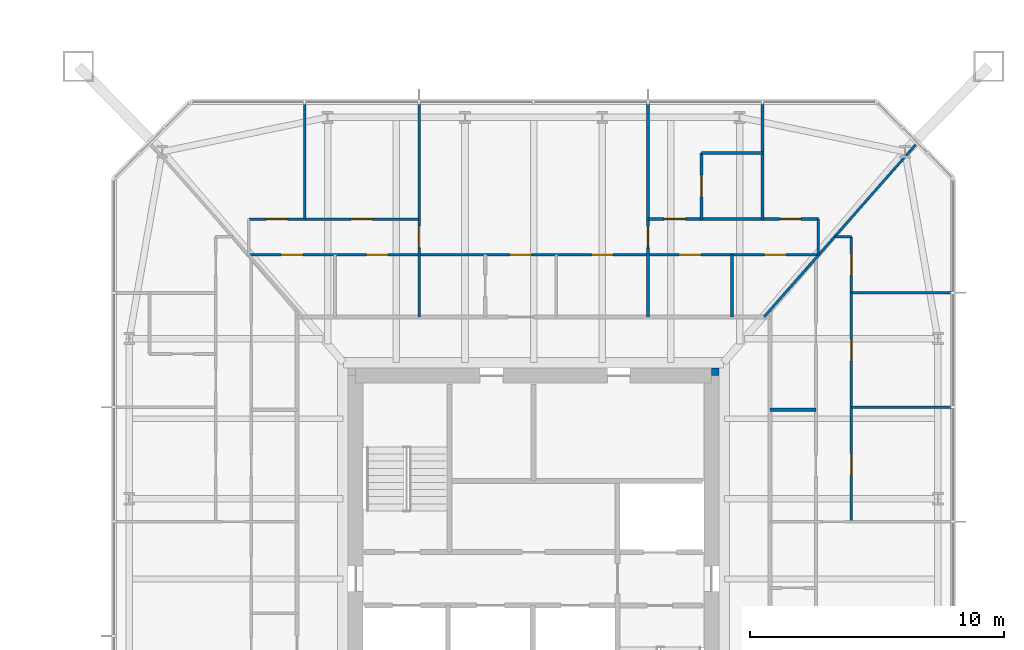
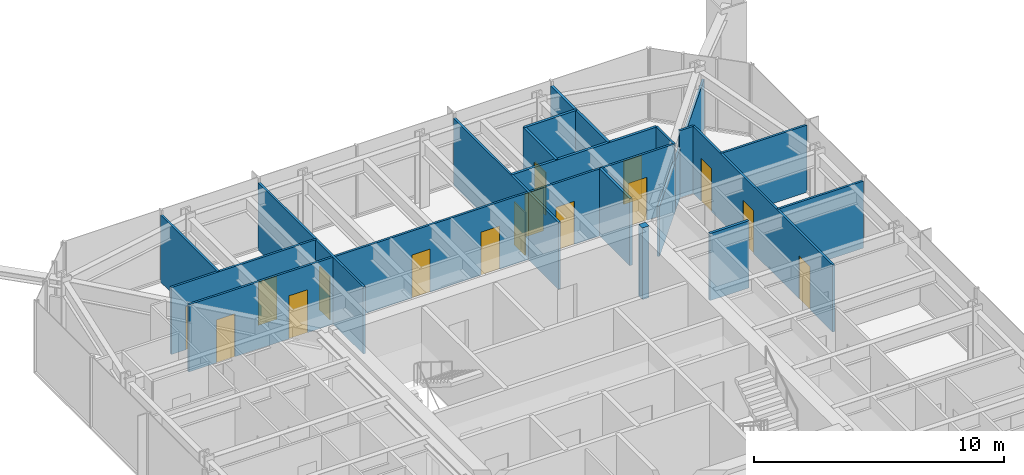
# One storey, part 21 of 26: 19 walls, 16 doors, 16 openings.
"""IFC4 building model written with IfcOpenShell, lengths in metres."""

from ifc_helpers import new_model, si_unit, direction, frame, frame_2d, origin, place, context, subcontext, project, spatial, rectangle, extrude, material, layer, layer_set, type_object, element, fill, save


model = new_model("IFC4")

# Units and contexts
model_context = context("Model", 3, precision=1e-05, world=origin(), true_north=direction((0.0, 1.0)))
body_context = subcontext(model_context, "Body", "Model", "MODEL_VIEW")
ifc_project = project(units=[si_unit("LENGTHUNIT", "METRE"), si_unit("AREAUNIT", "SQUARE_METRE"), si_unit("VOLUMEUNIT", "CUBIC_METRE"), si_unit("PLANEANGLEUNIT", "RADIAN"), si_unit("MASSUNIT", "GRAM", prefix="KILO")], contexts=[model_context])

# Site, building, storey
site_placement = place(None, origin())
site = spatial("IfcSite", under=ifc_project, at=site_placement, CompositionType="ELEMENT")
building_placement = place(site_placement, origin())
building = spatial("IfcBuilding", under=site, at=building_placement, Name="Iwan Alto Co-Living Towers", CompositionType="ELEMENT")
storey_placement = place(building_placement, frame((0.0, 0.0, 18.5)))
storey = spatial("IfcBuildingStorey", under=building, at=storey_placement, Name="L04", CompositionType="ELEMENT", Elevation=18.5)

# Walls
ifc_material_1 = material(Name="Gypsum board")
ifc_layer_1 = layer(ifc_material_1, 0.012451171875, Name="Board", Category="Finish")
ifc_material_2 = material(Name="Steel ASTM A1003 ST33H cold-formed studs", Category="steel")
ifc_layer_2 = layer(ifc_material_2, 0.074951171875, Name="Studs", Category="Framing")
ifc_layer_3 = layer(ifc_material_1, 0.012451171875, Name="Board", Category="Finish")
ifc_layer_set_1 = layer_set([ifc_layer_1, ifc_layer_2, ifc_layer_3], Name="PARTITION 100")
wall_type_1 = type_object("IfcWallType", Name="PARTITION 100", PredefinedType="PARTITIONING", material=ifc_layer_set_1)
for number, where, z_axis, x_axis, name in (
    (1, (75.5, 6.75, 0.0), (0.0, 0.0, 1.0), (1.0, 0.0, 0.0), "Partition L04"),
    (2, (75.5, 11.25, 0.0), (0.0, 0.0, 1.0), (1.0, 0.0, 0.0), "Partition L04"),
):
    element("IfcWall", number, at=place(storey_placement, frame(where, z_axis=z_axis, x_axis=x_axis)), inside=storey, type_object=wall_type_1, Name=name, PredefinedType="PARTITIONING", context=body_context, shape_type="SweptSolid", body=[
        extrude(rectangle(XDim=3.93994140625, YDim=0.10009765625, at=frame_2d((1.969970703125, 0.0))), origin(), (0.0, 0.0, 1.0), 3.27001953125),
    ])

# Wall, openings, doors
wall_1_placement = place(storey_placement, frame((51.800048828125, 12.75, 0.0), z_axis=(0.0, 0.0, 1.0), x_axis=(1.0, 0.0, 0.0)))
wall_1 = element("IfcWall", 3, at=wall_1_placement, inside=storey, type_object=wall_type_1, Name="Partition L04", PredefinedType="PARTITIONING", context=body_context, shape_type="SweptSolid", body=[
    extrude(rectangle(XDim=22.39990234375, YDim=0.10009765625, at=frame_2d((11.199951171875, 0.0))), origin(), (0.0, 0.0, 1.0), 3.27001953125),
])
opening_1_placement = place(wall_1_placement, frame((13.47509765625, 0.0, 0.0)))
opening_1 = element("IfcOpeningElement", 4, at=opening_1_placement, cuts=wall_1, Name="Opening D2", PredefinedType="OPENING", context=body_context, shape_type="SweptSolid", body=[
    extrude(rectangle(XDim=0.85009765625, YDim=2.10009765625, at=frame_2d((0.425048828125, 1.050048828125))), frame((0.0, 0.06005859375, 0.0), z_axis=(0.0, -1.0, 0.0), x_axis=(1.0, 0.0, 0.0)), (0.0, 0.0, 1.0), 0.1201171875),
])
opening_2_placement = place(wall_1_placement, frame((10.27490234375, 0.0, 0.0)))
opening_2 = element("IfcOpeningElement", 5, at=opening_2_placement, cuts=wall_1, Name="Opening D2", PredefinedType="OPENING", context=body_context, shape_type="SweptSolid", body=[
    extrude(rectangle(XDim=0.85009765625, YDim=2.10009765625, at=frame_2d((0.425048828125, 1.050048828125))), frame((0.0, 0.06005859375, 0.0), z_axis=(0.0, -1.0, 0.0), x_axis=(1.0, 0.0, 0.0)), (0.0, 0.0, 1.0), 0.1201171875),
])
opening_3_placement = place(wall_1_placement, frame((16.925048828125, 0.0, 0.0)))
opening_3 = element("IfcOpeningElement", 6, at=opening_3_placement, cuts=wall_1, Name="Opening D2", PredefinedType="OPENING", context=body_context, shape_type="SweptSolid", body=[
    extrude(rectangle(XDim=0.85009765625, YDim=2.10009765625, at=frame_2d((0.425048828125, 1.050048828125))), frame((0.0, 0.06005859375, 0.0), z_axis=(0.0, -1.0, 0.0), x_axis=(1.0, 0.0, 0.0)), (0.0, 0.0, 1.0), 0.1201171875),
])
opening_4_placement = place(wall_1_placement, frame((20.27490234375, 0.0, 0.0)))
opening_4 = element("IfcOpeningElement", 7, at=opening_4_placement, cuts=wall_1, Name="Opening D2", PredefinedType="OPENING", context=body_context, shape_type="SweptSolid", body=[
    extrude(rectangle(XDim=0.85009765625, YDim=2.10009765625, at=frame_2d((0.425048828125, 1.050048828125))), frame((0.0, 0.06005859375, 0.0), z_axis=(0.0, -1.0, 0.0), x_axis=(1.0, 0.0, 0.0)), (0.0, 0.0, 1.0), 0.1201171875),
])
opening_5_placement = place(wall_1_placement, frame((4.625, 0.0, 0.0)))
opening_5 = element("IfcOpeningElement", 8, at=opening_5_placement, cuts=wall_1, Name="Opening D2", PredefinedType="OPENING", context=body_context, shape_type="SweptSolid", body=[
    extrude(rectangle(XDim=0.85009765625, YDim=2.10009765625, at=frame_2d((0.425048828125, 1.050048828125))), frame((0.0, 0.06005859375, 0.0), z_axis=(0.0, -1.0, 0.0), x_axis=(1.0, 0.0, 0.0)), (0.0, 0.0, 1.0), 0.1201171875),
])
opening_6_placement = place(wall_1_placement, frame((1.27490234375, 0.0, 0.0)))
opening_6 = element("IfcOpeningElement", 9, at=opening_6_placement, cuts=wall_1, Name="Opening D2", PredefinedType="OPENING", context=body_context, shape_type="SweptSolid", body=[
    extrude(rectangle(XDim=0.85009765625, YDim=2.10009765625, at=frame_2d((0.425048828125, 1.050048828125))), frame((0.0, 0.06005859375, 0.0), z_axis=(0.0, -1.0, 0.0), x_axis=(1.0, 0.0, 0.0)), (0.0, 0.0, 1.0), 0.1201171875),
])
ifc_material_3 = material(Name="Timber leaf in steel frame", Category="steel")
door_type = type_object("IfcDoorType", Name="ROOM DOOR 850X2100", OperationType="SINGLE_SWING_LEFT", PredefinedType="DOOR", material=ifc_material_3)
door_1_placement = place(opening_1_placement, origin())
door_1 = element("IfcDoor", 10, at=door_1_placement, inside=storey, type_object=door_type, Name="Kitchen door L04", OperationType="SINGLE_SWING_RIGHT", OverallHeight=2.10009765625, OverallWidth=0.85009765625, PredefinedType="DOOR", context=body_context, shape_type="SweptSolid", body=[
    extrude(rectangle(XDim=0.85009765625, YDim=2.10009765625, at=frame_2d((0.425048828125, 1.050048828125))), frame((0.0, 0.02490234375, 0.0), z_axis=(0.0, -1.0, 0.0), x_axis=(1.0, 0.0, 0.0)), (0.0, 0.0, 1.0), 0.050048828125),
])
fill(opening_1, door_1)
door_2_placement = place(opening_2_placement, origin())
door_2 = element("IfcDoor", 11, at=door_2_placement, inside=storey, type_object=door_type, Name="Apartment foyer door L04", OperationType="SINGLE_SWING_LEFT", OverallHeight=2.10009765625, OverallWidth=0.85009765625, PredefinedType="DOOR", context=body_context, shape_type="SweptSolid", body=[
    extrude(rectangle(XDim=0.85009765625, YDim=2.10009765625, at=frame_2d((0.425048828125, 1.050048828125))), frame((0.0, 0.02490234375, 0.0), z_axis=(0.0, -1.0, 0.0), x_axis=(1.0, 0.0, 0.0)), (0.0, 0.0, 1.0), 0.050048828125),
])
fill(opening_2, door_2)
door_3_placement = place(opening_3_placement, frame((0.85009765625, 0.0, 0.0), z_axis=(0.0, 0.0, 1.0), x_axis=(-1.0, 0.0, 0.0)))
door_3 = element("IfcDoor", 12, at=door_3_placement, inside=storey, type_object=door_type, Name="Utility room door L04", OperationType="SINGLE_SWING_RIGHT", OverallHeight=2.10009765625, OverallWidth=0.85009765625, PredefinedType="DOOR", context=body_context, shape_type="SweptSolid", body=[
    extrude(rectangle(XDim=0.85009765625, YDim=2.10009765625, at=frame_2d((0.425048828125, 1.050048828125))), frame((0.0, 0.02490234375, 0.0), z_axis=(0.0, -1.0, 0.0), x_axis=(1.0, 0.0, 0.0)), (0.0, 0.0, 1.0), 0.050048828125),
])
fill(opening_3, door_3)
door_4_placement = place(opening_4_placement, frame((0.85009765625, 0.0, 0.0), z_axis=(0.0, 0.0, 1.0), x_axis=(-1.0, 0.0, 0.0)))
door_4 = element("IfcDoor", 13, at=door_4_placement, inside=storey, type_object=door_type, Name="Store room door L04", OperationType="SINGLE_SWING_LEFT", OverallHeight=2.10009765625, OverallWidth=0.85009765625, PredefinedType="DOOR", context=body_context, shape_type="SweptSolid", body=[
    extrude(rectangle(XDim=0.85009765625, YDim=2.10009765625, at=frame_2d((0.425048828125, 1.050048828125))), frame((0.0, 0.02490234375, 0.0), z_axis=(0.0, -1.0, 0.0), x_axis=(1.0, 0.0, 0.0)), (0.0, 0.0, 1.0), 0.050048828125),
])
fill(opening_4, door_4)
door_5_placement = place(opening_5_placement, frame((0.85009765625, 0.0, 0.0), z_axis=(0.0, 0.0, 1.0), x_axis=(-1.0, 0.0, 0.0)))
door_5 = element("IfcDoor", 14, at=door_5_placement, inside=storey, type_object=door_type, Name="Utility room door L04", OperationType="SINGLE_SWING_RIGHT", OverallHeight=2.10009765625, OverallWidth=0.85009765625, PredefinedType="DOOR", context=body_context, shape_type="SweptSolid", body=[
    extrude(rectangle(XDim=0.85009765625, YDim=2.10009765625, at=frame_2d((0.425048828125, 1.050048828125))), frame((0.0, 0.02490234375, 0.0), z_axis=(0.0, -1.0, 0.0), x_axis=(1.0, 0.0, 0.0)), (0.0, 0.0, 1.0), 0.050048828125),
])
fill(opening_5, door_5)
door_6_placement = place(opening_6_placement, frame((0.85009765625, 0.0, 0.0), z_axis=(0.0, 0.0, 1.0), x_axis=(-1.0, 0.0, 0.0)))
door_6 = element("IfcDoor", 15, at=door_6_placement, inside=storey, type_object=door_type, Name="Store room door L04", OperationType="SINGLE_SWING_RIGHT", OverallHeight=2.10009765625, OverallWidth=0.85009765625, PredefinedType="DOOR", context=body_context, shape_type="SweptSolid", body=[
    extrude(rectangle(XDim=0.85009765625, YDim=2.10009765625, at=frame_2d((0.425048828125, 1.050048828125))), frame((0.0, 0.02490234375, 0.0), z_axis=(0.0, -1.0, 0.0), x_axis=(1.0, 0.0, 0.0)), (0.0, 0.0, 1.0), 0.050048828125),
])
fill(opening_6, door_6)

# Wall
wall_2_placement = place(storey_placement, frame((74.8359375, 13.449951171875, 0.0), z_axis=(0.0, 0.0, 1.0), x_axis=(1.0, 0.0, 0.0)))
element("IfcWall", 16, at=wall_2_placement, inside=storey, type_object=wall_type_1, Name="Partition L04", PredefinedType="PARTITIONING", context=body_context, shape_type="SweptSolid", body=[
    extrude(rectangle(XDim=0.6640625, YDim=0.10009765625, at=frame_2d((0.33203125, 0.0))), origin(), (0.0, 0.0, 1.0), 3.27001953125),
])

# Wall, openings, doors
wall_3_placement = place(storey_placement, frame((51.800048828125, 14.14990234375, 0.0), z_axis=(0.0, 0.0, 1.0), x_axis=(1.0, 0.0, 0.0)))
wall_3 = element("IfcWall", 17, at=wall_3_placement, inside=storey, type_object=wall_type_1, Name="Partition L04", PredefinedType="PARTITIONING", context=body_context, shape_type="SweptSolid", body=[
    extrude(rectangle(XDim=6.699951171875, YDim=0.10009765625, at=frame_2d((3.35009765625, 0.0))), origin(), (0.0, 0.0, 1.0), 3.27001953125),
])
opening_7_placement = place(wall_3_placement, frame((4.02490234375, 0.0, 0.0)))
opening_7 = element("IfcOpeningElement", 18, at=opening_7_placement, cuts=wall_3, Name="Opening D2", PredefinedType="OPENING", context=body_context, shape_type="SweptSolid", body=[
    extrude(rectangle(XDim=0.85009765625, YDim=2.10009765625, at=frame_2d((0.425048828125, 1.050048828125))), frame((0.0, 0.06005859375, 0.0), z_axis=(0.0, -1.0, 0.0), x_axis=(1.0, 0.0, 0.0)), (0.0, 0.0, 1.0), 0.1201171875),
])
opening_8_placement = place(wall_3_placement, frame((0.675048828125, 0.0, 0.0)))
opening_8 = element("IfcOpeningElement", 19, at=opening_8_placement, cuts=wall_3, Name="Opening D2", PredefinedType="OPENING", context=body_context, shape_type="SweptSolid", body=[
    extrude(rectangle(XDim=0.85009765625, YDim=2.10009765625, at=frame_2d((0.425048828125, 1.050048828125))), frame((0.0, 0.06005859375, 0.0), z_axis=(0.0, -1.0, 0.0), x_axis=(1.0, 0.0, 0.0)), (0.0, 0.0, 1.0), 0.1201171875),
])
door_7_placement = place(opening_7_placement, origin())
door_7 = element("IfcDoor", 20, at=door_7_placement, inside=storey, type_object=door_type, Name="Study door L04", OperationType="SINGLE_SWING_LEFT", OverallHeight=2.10009765625, OverallWidth=0.85009765625, PredefinedType="DOOR", context=body_context, shape_type="SweptSolid", body=[
    extrude(rectangle(XDim=0.85009765625, YDim=2.10009765625, at=frame_2d((0.425048828125, 1.050048828125))), frame((0.0, 0.02490234375, 0.0), z_axis=(0.0, -1.0, 0.0), x_axis=(1.0, 0.0, 0.0)), (0.0, 0.0, 1.0), 0.050048828125),
])
fill(opening_7, door_7)
door_8_placement = place(opening_8_placement, origin())
door_8 = element("IfcDoor", 21, at=door_8_placement, inside=storey, type_object=door_type, Name="Bedroom door L04", OperationType="SINGLE_SWING_RIGHT", OverallHeight=2.10009765625, OverallWidth=0.85009765625, PredefinedType="DOOR", context=body_context, shape_type="SweptSolid", body=[
    extrude(rectangle(XDim=0.85009765625, YDim=2.10009765625, at=frame_2d((0.425048828125, 1.050048828125))), frame((0.0, 0.02490234375, 0.0), z_axis=(0.0, -1.0, 0.0), x_axis=(1.0, 0.0, 0.0)), (0.0, 0.0, 1.0), 0.050048828125),
])
fill(opening_8, door_8)

# Walls
wall_4_placement = place(storey_placement, frame((72.06396484375, 10.300048828125, 0.0), z_axis=(0.0, 0.0, 1.0), x_axis=(0.660667046586, 0.75067906162, 0.0)))
element("IfcWall", 22, at=wall_4_placement, inside=storey, type_object=wall_type_1, Name="Partition L04", PredefinedType="PARTITIONING", context=body_context, shape_type="SweptSolid", body=[
    extrude(rectangle(XDim=3.233154296875, YDim=0.10009765625, at=frame_2d((1.61669921875, 0.0))), origin(), (0.0, 0.0, 1.0), 2.42919921875),
])
wall_5_placement = place(storey_placement, frame((74.199951171875, 12.72705078125, 0.0), z_axis=(0.0, 0.0, 1.0), x_axis=(0.660698595885, 0.750651294141, 0.0)))
element("IfcWall", 23, at=wall_5_placement, inside=storey, type_object=wall_type_1, Name="Partition L04", PredefinedType="PARTITIONING", context=body_context, shape_type="SweptSolid", body=[
    extrude(rectangle(XDim=5.838134765625, YDim=0.10009765625, at=frame_2d((2.9189453125, 0.0))), origin(), (0.0, 0.0, 1.0), 2.42919921875),
])

# Wall, openings, doors
wall_6_placement = place(storey_placement, frame((75.5, 2.25, 0.0), z_axis=(0.0, 0.0, 1.0), x_axis=(0.0, 1.0, 0.0)))
wall_6 = element("IfcWall", 24, at=wall_6_placement, inside=storey, type_object=wall_type_1, Name="Partition L04", PredefinedType="PARTITIONING", context=body_context, shape_type="SweptSolid", body=[
    extrude(rectangle(XDim=11.199951171875, YDim=0.10009765625, at=frame_2d((5.60009765625, 0.0))), origin(), (0.0, 0.0, 1.0), 3.27001953125),
])
opening_9_placement = place(wall_6_placement, frame((1.824951171875, 0.0, 0.0)))
opening_9 = element("IfcOpeningElement", 25, at=opening_9_placement, cuts=wall_6, Name="Opening D2", PredefinedType="OPENING", context=body_context, shape_type="SweptSolid", body=[
    extrude(rectangle(XDim=0.85009765625, YDim=2.10009765625, at=frame_2d((0.425048828125, 1.050048828125))), frame((0.0, 0.06005859375, 0.0), z_axis=(0.0, -1.0, 0.0), x_axis=(1.0, 0.0, 0.0)), (0.0, 0.0, 1.0), 0.1201171875),
])
opening_10_placement = place(wall_6_placement, frame((6.324951171875, 0.0, 0.0)))
opening_10 = element("IfcOpeningElement", 26, at=opening_10_placement, cuts=wall_6, Name="Opening D2", PredefinedType="OPENING", context=body_context, shape_type="SweptSolid", body=[
    extrude(rectangle(XDim=0.85009765625, YDim=2.10009765625, at=frame_2d((0.425048828125, 1.050048828125))), frame((0.0, 0.06005859375, 0.0), z_axis=(0.0, -1.0, 0.0), x_axis=(1.0, 0.0, 0.0)), (0.0, 0.0, 1.0), 0.1201171875),
])
opening_11_placement = place(wall_6_placement, frame((9.675048828125, 0.0, 0.0)))
opening_11 = element("IfcOpeningElement", 27, at=opening_11_placement, cuts=wall_6, Name="Opening D2", PredefinedType="OPENING", context=body_context, shape_type="SweptSolid", body=[
    extrude(rectangle(XDim=0.85009765625, YDim=2.10009765625, at=frame_2d((0.425048828125, 1.050048828125))), frame((0.0, 0.06005859375, 0.0), z_axis=(0.0, -1.0, 0.0), x_axis=(1.0, 0.0, 0.0)), (0.0, 0.0, 1.0), 0.1201171875),
])
door_9_placement = place(opening_9_placement, frame((0.85009765625, 0.0, 0.0), z_axis=(0.0, 0.0, 1.0), x_axis=(-1.0, 0.0, 0.0)))
door_9 = element("IfcDoor", 28, at=door_9_placement, inside=storey, type_object=door_type, Name="Study door L04", OperationType="SINGLE_SWING_RIGHT", OverallHeight=2.10009765625, OverallWidth=0.85009765625, PredefinedType="DOOR", context=body_context, shape_type="SweptSolid", body=[
    extrude(rectangle(XDim=0.85009765625, YDim=2.10009765625, at=frame_2d((0.425048828125, 1.050048828125))), frame((0.0, 0.02490234375, 0.0), z_axis=(0.0, -1.0, 0.0), x_axis=(1.0, 0.0, 0.0)), (0.0, 0.0, 1.0), 0.050048828125),
])
fill(opening_9, door_9)
door_10_placement = place(opening_10_placement, frame((0.85009765625, 0.0, 0.0), z_axis=(0.0, 0.0, 1.0), x_axis=(-1.0, 0.0, 0.0)))
door_10 = element("IfcDoor", 29, at=door_10_placement, inside=storey, type_object=door_type, Name="Bedroom door L04", OperationType="SINGLE_SWING_RIGHT", OverallHeight=2.10009765625, OverallWidth=0.85009765625, PredefinedType="DOOR", context=body_context, shape_type="SweptSolid", body=[
    extrude(rectangle(XDim=0.85009765625, YDim=2.10009765625, at=frame_2d((0.425048828125, 1.050048828125))), frame((0.0, 0.02490234375, 0.0), z_axis=(0.0, -1.0, 0.0), x_axis=(1.0, 0.0, 0.0)), (0.0, 0.0, 1.0), 0.050048828125),
])
fill(opening_10, door_10)
door_11_placement = place(opening_11_placement, frame((0.85009765625, 0.0, 0.0), z_axis=(0.0, 0.0, 1.0), x_axis=(-1.0, 0.0, 0.0)))
door_11 = element("IfcDoor", 30, at=door_11_placement, inside=storey, type_object=door_type, Name="Bedroom door L04", OperationType="SINGLE_SWING_RIGHT", OverallHeight=2.10009765625, OverallWidth=0.85009765625, PredefinedType="DOOR", context=body_context, shape_type="SweptSolid", body=[
    extrude(rectangle(XDim=0.85009765625, YDim=2.10009765625, at=frame_2d((0.425048828125, 1.050048828125))), frame((0.0, 0.02490234375, 0.0), z_axis=(0.0, -1.0, 0.0), x_axis=(1.0, 0.0, 0.0)), (0.0, 0.0, 1.0), 0.050048828125),
])
fill(opening_11, door_11)

# Wall
wall_7_placement = place(storey_placement, frame((74.199951171875, 12.72705078125, 0.0), z_axis=(0.0, 0.0, 1.0), x_axis=(0.0, 1.0, 0.0)))
element("IfcWall", 31, at=wall_7_placement, inside=storey, type_object=wall_type_1, Name="Partition L04", PredefinedType="PARTITIONING", context=body_context, shape_type="SweptSolid", body=[
    extrude(rectangle(XDim=1.4228515625, YDim=0.10009765625, at=frame_2d((0.71142578125, 0.0))), origin(), (0.0, 0.0, 1.0), 3.27001953125),
])

# Wall, opening, door
wall_8_placement = place(storey_placement, frame((67.5, 10.300048828125, 0.0), z_axis=(0.0, 0.0, 1.0), x_axis=(0.0, 1.0, 0.0)))
wall_8 = element("IfcWall", 32, at=wall_8_placement, inside=storey, type_object=wall_type_1, Name="Partition L04", PredefinedType="PARTITIONING", context=body_context, shape_type="SweptSolid", body=[
    extrude(rectangle(XDim=8.389892578125, YDim=0.10009765625, at=frame_2d((4.19482421875, 0.0))), origin(), (0.0, 0.0, 1.0), 3.27001953125),
])
opening_12_placement = place(wall_8_placement, frame((2.72509765625, 0.0, 0.0)))
opening_12 = element("IfcOpeningElement", 33, at=opening_12_placement, cuts=wall_8, Name="Opening D2", PredefinedType="OPENING", context=body_context, shape_type="SweptSolid", body=[
    extrude(rectangle(XDim=0.85009765625, YDim=2.10009765625, at=frame_2d((0.425048828125, 1.050048828125))), frame((0.0, 0.06005859375, 0.0), z_axis=(0.0, -1.0, 0.0), x_axis=(1.0, 0.0, 0.0)), (0.0, 0.0, 1.0), 0.1201171875),
])
door_12_placement = place(opening_12_placement, origin())
door_12 = element("IfcDoor", 34, at=door_12_placement, inside=storey, type_object=door_type, Name="Apartment hall door L04", OperationType="SINGLE_SWING_LEFT", OverallHeight=2.10009765625, OverallWidth=0.85009765625, PredefinedType="DOOR", context=body_context, shape_type="SweptSolid", body=[
    extrude(rectangle(XDim=0.85009765625, YDim=2.10009765625, at=frame_2d((0.425048828125, 1.050048828125))), frame((0.0, 0.02490234375, 0.0), z_axis=(0.0, -1.0, 0.0), x_axis=(1.0, 0.0, 0.0)), (0.0, 0.0, 1.0), 0.050048828125),
])
fill(opening_12, door_12)

wall_9_placement = place(storey_placement, frame((58.5, 10.300048828125, 0.0), z_axis=(0.0, 0.0, 1.0), x_axis=(0.0, 1.0, 0.0)))
wall_9 = element("IfcWall", 35, at=wall_9_placement, inside=storey, type_object=wall_type_1, Name="Partition L04", PredefinedType="PARTITIONING", context=body_context, shape_type="SweptSolid", body=[
    extrude(rectangle(XDim=8.389892578125, YDim=0.10009765625, at=frame_2d((4.19482421875, 0.0))), origin(), (0.0, 0.0, 1.0), 3.27001953125),
])
opening_13_placement = place(wall_9_placement, frame((2.72509765625, 0.0, 0.0)))
opening_13 = element("IfcOpeningElement", 36, at=opening_13_placement, cuts=wall_9, Name="Opening D2", PredefinedType="OPENING", context=body_context, shape_type="SweptSolid", body=[
    extrude(rectangle(XDim=0.85009765625, YDim=2.10009765625, at=frame_2d((0.425048828125, 1.050048828125))), frame((0.0, 0.06005859375, 0.0), z_axis=(0.0, -1.0, 0.0), x_axis=(1.0, 0.0, 0.0)), (0.0, 0.0, 1.0), 0.1201171875),
])
door_13_placement = place(opening_13_placement, frame((0.85009765625, 0.0, 0.0), z_axis=(0.0, 0.0, 1.0), x_axis=(-1.0, 0.0, 0.0)))
door_13 = element("IfcDoor", 37, at=door_13_placement, inside=storey, type_object=door_type, Name="Apartment hall door L04", OperationType="SINGLE_SWING_RIGHT", OverallHeight=2.10009765625, OverallWidth=0.85009765625, PredefinedType="DOOR", context=body_context, shape_type="SweptSolid", body=[
    extrude(rectangle(XDim=0.85009765625, YDim=2.10009765625, at=frame_2d((0.425048828125, 1.050048828125))), frame((0.0, 0.02490234375, 0.0), z_axis=(0.0, -1.0, 0.0), x_axis=(1.0, 0.0, 0.0)), (0.0, 0.0, 1.0), 0.050048828125),
])
fill(opening_13, door_13)

# Walls
wall_10_placement = place(storey_placement, frame((54.0, 14.14990234375, 0.0), z_axis=(0.0, 0.0, 1.0), x_axis=(0.0, 1.0, 0.0)))
element("IfcWall", 38, at=wall_10_placement, inside=storey, type_object=wall_type_1, Name="Partition L04", PredefinedType="PARTITIONING", context=body_context, shape_type="SweptSolid", body=[
    extrude(rectangle(XDim=4.5400390625, YDim=0.10009765625, at=frame_2d((2.27001953125, 0.0))), origin(), (0.0, 0.0, 1.0), 3.27001953125),
])
ifc_material_4 = material(Name="Concrete f'c 70 MPa", Category="concrete")
ifc_layer_4 = layer(ifc_material_4, 0.300048828125)
ifc_layer_set_2 = layer_set([ifc_layer_4], Name="T2 CORE CORNER FILL 300")
wall_type_2 = type_object("IfcWallType", Name="T2 CORE CORNER FILL 300", PredefinedType="SOLIDWALL", material=ifc_layer_set_2)
wall_11_placement = place(storey_placement, frame((70.0, 8.14990234375, 0.0), z_axis=(0.0, 0.0, 1.0), x_axis=(1.0, 0.0, 0.0)))
element("IfcWall", 39, at=wall_11_placement, inside=storey, type_object=wall_type_2, Name="T2 core corner NE L04", PredefinedType="SOLIDWALL", context=body_context, shape_type="SweptSolid", body=[
    extrude(rectangle(XDim=0.300048828125, YDim=0.300048828125, at=frame_2d((0.14990234375, 0.0))), origin(), (0.0, 0.0, 1.0), 3.5),
])
ifc_material_5 = material(Name="Cement board")
ifc_layer_5 = layer(ifc_material_5, 0.012451171875, Name="Board", Category="Finish")
ifc_layer_6 = layer(ifc_material_2, 0.094970703125, Name="Studs", Category="Framing")
ifc_layer_7 = layer(ifc_material_5, 0.012451171875, Name="Board", Category="Finish")
ifc_layer_set_3 = layer_set([ifc_layer_5, ifc_layer_6, ifc_layer_7], Name="WET AREA PARTITION 120")
wall_type_3 = type_object("IfcWallType", Name="WET AREA PARTITION 120", PredefinedType="PARTITIONING", material=ifc_layer_set_3)
wall_12_placement = place(storey_placement, frame((72.300048828125, 6.64990234375, 0.0), z_axis=(0.0, 0.0, 1.0), x_axis=(1.0, 0.0, 0.0)))
element("IfcWall", 40, at=wall_12_placement, inside=storey, type_object=wall_type_3, Name="Partition L04", PredefinedType="PARTITIONING", context=body_context, shape_type="SweptSolid", body=[
    extrude(rectangle(XDim=1.800048828125, YDim=0.1201171875, at=frame_2d((0.89990234375, 0.0))), origin(), (0.0, 0.0, 1.0), 3.27001953125),
])

# Wall, openings, doors
wall_13_placement = place(storey_placement, frame((67.5, 14.14990234375, 0.0), z_axis=(0.0, 0.0, 1.0), x_axis=(1.0, 0.0, 0.0)))
wall_13 = element("IfcWall", 41, at=wall_13_placement, inside=storey, type_object=wall_type_3, Name="Partition L04", PredefinedType="PARTITIONING", context=body_context, shape_type="SweptSolid", body=[
    extrude(rectangle(XDim=6.699951171875, YDim=0.1201171875, at=frame_2d((3.35009765625, 0.0))), origin(), (0.0, 0.0, 1.0), 3.27001953125),
])
opening_14_placement = place(wall_13_placement, frame((0.625, 0.0, 0.0)))
opening_14 = element("IfcOpeningElement", 42, at=opening_14_placement, cuts=wall_13, Name="Opening D2", PredefinedType="OPENING", context=body_context, shape_type="SweptSolid", body=[
    extrude(rectangle(XDim=0.85009765625, YDim=2.10009765625, at=frame_2d((0.425048828125, 1.050048828125))), frame((0.0, 0.070068359375, 0.0), z_axis=(0.0, -1.0, 0.0), x_axis=(1.0, 0.0, 0.0)), (0.0, 0.0, 1.0), 0.14013671875),
])
opening_15_placement = place(wall_13_placement, frame((5.175048828125, 0.0, 0.0)))
opening_15 = element("IfcOpeningElement", 43, at=opening_15_placement, cuts=wall_13, Name="Opening D2", PredefinedType="OPENING", context=body_context, shape_type="SweptSolid", body=[
    extrude(rectangle(XDim=0.85009765625, YDim=2.10009765625, at=frame_2d((0.425048828125, 1.050048828125))), frame((0.0, 0.070068359375, 0.0), z_axis=(0.0, -1.0, 0.0), x_axis=(1.0, 0.0, 0.0)), (0.0, 0.0, 1.0), 0.14013671875),
])
door_14_placement = place(opening_14_placement, origin())
door_14 = element("IfcDoor", 44, at=door_14_placement, inside=storey, type_object=door_type, Name="Bedroom door L04", OperationType="SINGLE_SWING_LEFT", OverallHeight=2.10009765625, OverallWidth=0.85009765625, PredefinedType="DOOR", context=body_context, shape_type="SweptSolid", body=[
    extrude(rectangle(XDim=0.85009765625, YDim=2.10009765625, at=frame_2d((0.425048828125, 1.050048828125))), frame((0.0, 0.02490234375, 0.0), z_axis=(0.0, -1.0, 0.0), x_axis=(1.0, 0.0, 0.0)), (0.0, 0.0, 1.0), 0.050048828125),
])
fill(opening_14, door_14)
door_15_placement = place(opening_15_placement, origin())
door_15 = element("IfcDoor", 45, at=door_15_placement, inside=storey, type_object=door_type, Name="Bedroom door L04", OperationType="SINGLE_SWING_LEFT", OverallHeight=2.10009765625, OverallWidth=0.85009765625, PredefinedType="DOOR", context=body_context, shape_type="SweptSolid", body=[
    extrude(rectangle(XDim=0.85009765625, YDim=2.10009765625, at=frame_2d((0.425048828125, 1.050048828125))), frame((0.0, 0.02490234375, 0.0), z_axis=(0.0, -1.0, 0.0), x_axis=(1.0, 0.0, 0.0)), (0.0, 0.0, 1.0), 0.050048828125),
])
fill(opening_15, door_15)

# Walls
wall_14_placement = place(storey_placement, frame((69.60009765625, 16.75, 0.0), z_axis=(0.0, 0.0, 1.0), x_axis=(1.0, 0.0, 0.0)))
element("IfcWall", 46, at=wall_14_placement, inside=storey, type_object=wall_type_3, Name="Partition L04", PredefinedType="PARTITIONING", context=body_context, shape_type="SweptSolid", body=[
    extrude(rectangle(XDim=2.39990234375, YDim=0.1201171875, at=frame_2d((1.199951171875, 0.0))), origin(), (0.0, 0.0, 1.0), 3.27001953125),
])
wall_15_placement = place(storey_placement, frame((72.0, 14.14990234375, 0.0), z_axis=(0.0, 0.0, 1.0), x_axis=(0.0, 1.0, 0.0)))
element("IfcWall", 47, at=wall_15_placement, inside=storey, type_object=wall_type_3, Name="Partition L04", PredefinedType="PARTITIONING", context=body_context, shape_type="SweptSolid", body=[
    extrude(rectangle(XDim=4.5400390625, YDim=0.1201171875, at=frame_2d((2.27001953125, 0.0))), origin(), (0.0, 0.0, 1.0), 3.27001953125),
])
wall_16_placement = place(storey_placement, frame((70.800048828125, 10.300048828125, 0.0), z_axis=(0.0, 0.0, 1.0), x_axis=(0.0, 1.0, 0.0)))
element("IfcWall", 48, at=wall_16_placement, inside=storey, type_object=wall_type_3, Name="Partition L04", PredefinedType="PARTITIONING", context=body_context, shape_type="SweptSolid", body=[
    extrude(rectangle(XDim=2.449951171875, YDim=0.1201171875, at=frame_2d((1.22509765625, 0.0))), origin(), (0.0, 0.0, 1.0), 3.27001953125),
])

# Wall, opening, door
wall_17_placement = place(storey_placement, frame((69.60009765625, 14.14990234375, 0.0), z_axis=(0.0, 0.0, 1.0), x_axis=(0.0, 1.0, 0.0)))
wall_17 = element("IfcWall", 49, at=wall_17_placement, inside=storey, type_object=wall_type_3, Name="Partition L04", PredefinedType="PARTITIONING", context=body_context, shape_type="SweptSolid", body=[
    extrude(rectangle(XDim=2.60009765625, YDim=0.1201171875, at=frame_2d((1.300048828125, 0.0))), origin(), (0.0, 0.0, 1.0), 3.27001953125),
])
opening_16_placement = place(wall_17_placement, frame((0.875, 0.0, 0.0)))
opening_16 = element("IfcOpeningElement", 50, at=opening_16_placement, cuts=wall_17, Name="Opening D2", PredefinedType="OPENING", context=body_context, shape_type="SweptSolid", body=[
    extrude(rectangle(XDim=0.85009765625, YDim=2.10009765625, at=frame_2d((0.425048828125, 1.050048828125))), frame((0.0, 0.070068359375, 0.0), z_axis=(0.0, -1.0, 0.0), x_axis=(1.0, 0.0, 0.0)), (0.0, 0.0, 1.0), 0.14013671875),
])
door_16_placement = place(opening_16_placement, origin())
door_16 = element("IfcDoor", 51, at=door_16_placement, inside=storey, type_object=door_type, Name="En-suite shower room door L04", OperationType="SINGLE_SWING_LEFT", OverallHeight=2.10009765625, OverallWidth=0.85009765625, PredefinedType="DOOR", context=body_context, shape_type="SweptSolid", body=[
    extrude(rectangle(XDim=0.85009765625, YDim=2.10009765625, at=frame_2d((0.425048828125, 1.050048828125))), frame((0.0, 0.02490234375, 0.0), z_axis=(0.0, -1.0, 0.0), x_axis=(1.0, 0.0, 0.0)), (0.0, 0.0, 1.0), 0.050048828125),
])
fill(opening_16, door_16)

save(model, "model.ifc")
